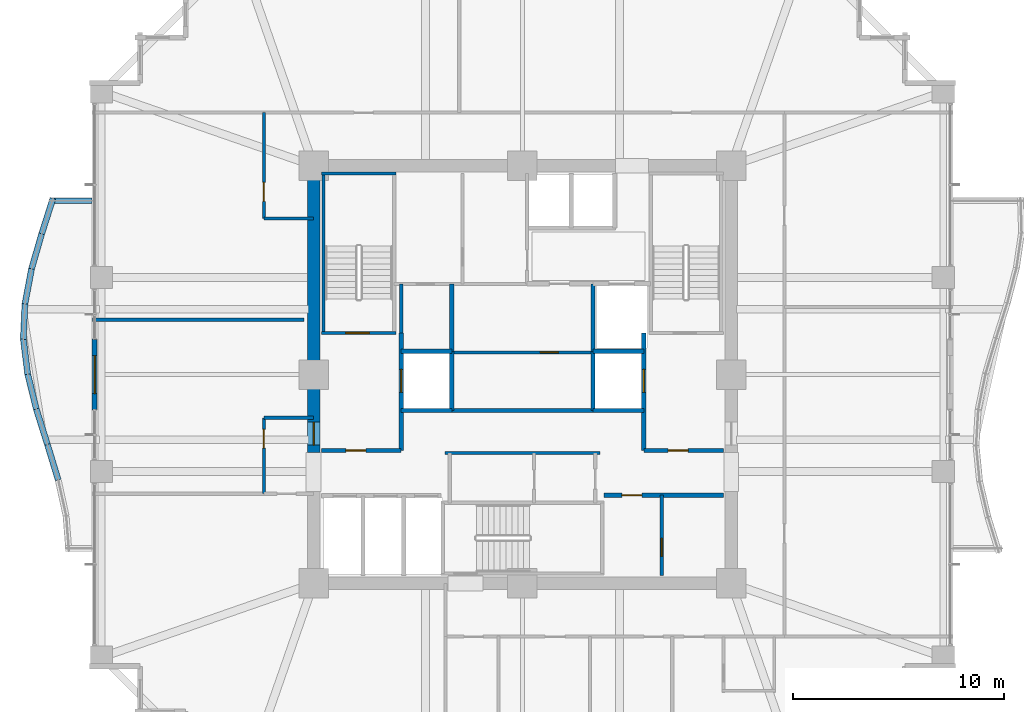
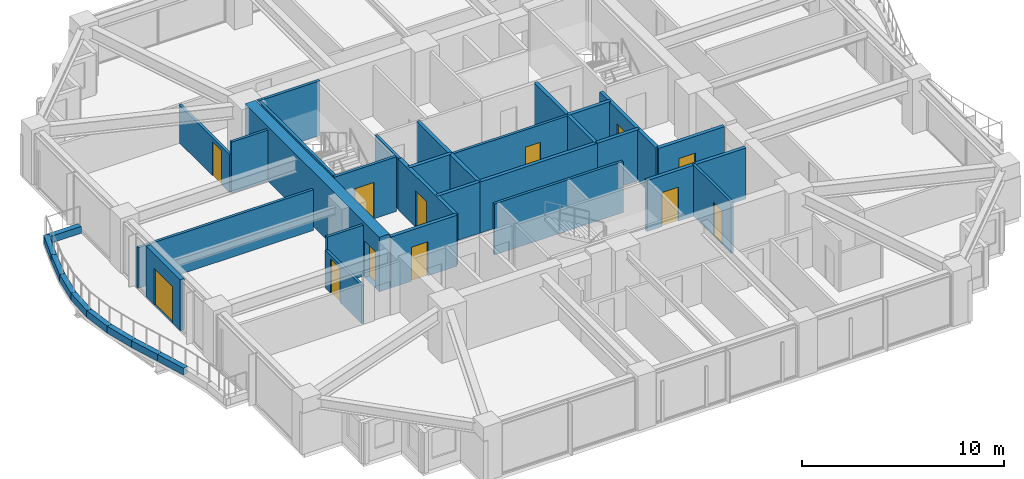
# One storey, part 31 of 36: 37 walls, 12 doors, 12 openings.
"""IFC4 building model written with IfcOpenShell, lengths in metres."""

from ifc_helpers import new_model, si_unit, direction, frame, frame_2d, origin, place, context, subcontext, project, spatial, rectangle, extrude, material, layer, layer_set, type_object, element, fill, save


model = new_model("IFC4")

# Units and contexts
model_context = context("Model", 3, precision=1e-05, world=origin(), true_north=direction((0.0, 1.0)))
body_context = subcontext(model_context, "Body", "Model", "MODEL_VIEW")
ifc_project = project(units=[si_unit("LENGTHUNIT", "METRE"), si_unit("AREAUNIT", "SQUARE_METRE"), si_unit("VOLUMEUNIT", "CUBIC_METRE"), si_unit("PLANEANGLEUNIT", "RADIAN"), si_unit("MASSUNIT", "GRAM", prefix="KILO")], contexts=[model_context])

# Site, building, storey
site_placement = place(None, origin())
site = spatial("IfcSite", under=ifc_project, at=site_placement, CompositionType="ELEMENT")
building_placement = place(site_placement, origin())
building = spatial("IfcBuilding", under=site, at=building_placement, Name="Kolvaren Belvedere", CompositionType="ELEMENT")
storey_placement = place(building_placement, frame((0.0, 0.0, 95.300048828125)))
storey = spatial("IfcBuildingStorey", under=building, at=storey_placement, Name="L27", CompositionType="ELEMENT", Elevation=95.300048828125)

# Wall, opening, door
ifc_material_1 = material(Name="Concrete C60/75", Category="concrete")
ifc_layer_1 = layer(ifc_material_1, 0.60009765625)
ifc_layer_set_1 = layer_set([ifc_layer_1], Name="Concrete C60/75")
wall_type_1 = type_object("IfcWallType", Name="CW-CORE-600", PredefinedType="SHEAR", material=ifc_layer_set_1)
wall_1_placement = place(storey_placement, frame((-9.89990234375, -3.699951171875, 0.0), z_axis=(0.0, 0.0, 1.0), x_axis=(0.0, 1.0, 0.0)))
wall_1 = element("IfcWall", 1, at=wall_1_placement, inside=storey, type_object=wall_type_1, Name="L27 West Core Shear Wall 2", PredefinedType="SHEAR", context=body_context, shape_type="SweptSolid", body=[
    extrude(rectangle(XDim=13.300048828125, YDim=0.60009765625, at=frame_2d((6.64990234375, 0.0))), origin(), (0.0, 0.0, 1.0), 3.300048828125),
])
opening_1_placement = place(wall_1_placement, frame((0.35009765625, 0.0, 0.0)))
opening_1 = element("IfcOpeningElement", 2, at=opening_1_placement, cuts=wall_1, Name="Opening D-FD90", PredefinedType="OPENING", context=body_context, shape_type="SweptSolid", body=[
    extrude(rectangle(XDim=1.10009765625, YDim=2.199951171875, at=frame_2d((0.550048828125, 1.10009765625))), frame((0.0, 0.31005859375, 0.0), z_axis=(0.0, -1.0, 0.0), x_axis=(1.0, 0.0, 0.0)), (0.0, 0.0, 1.0), 0.6201171875),
])
ifc_material_2 = material(Name="Painted hollow stainless steel", Category="steel")
door_type_1 = type_object("IfcDoorType", Name="DR-FD90-1100", OperationType="NOTDEFINED", PredefinedType="DOOR", material=ifc_material_2)
door_1_placement = place(opening_1_placement, origin())
door_1 = element("IfcDoor", 3, at=door_1_placement, inside=storey, type_object=door_type_1, Name="L27 West Firefighting Lobby Fire Door", OperationType="SINGLE_SWING_LEFT", OverallHeight=2.199951171875, OverallWidth=1.10009765625, PredefinedType="DOOR", context=body_context, shape_type="SweptSolid", body=[
    extrude(rectangle(XDim=1.10009765625, YDim=2.199951171875, at=frame_2d((0.550048828125, 1.10009765625))), frame((0.0, 0.02490234375, 0.0), z_axis=(0.0, -1.0, 0.0), x_axis=(1.0, 0.0, 0.0)), (0.0, 0.0, 1.0), 0.050048828125),
])
fill(opening_1, door_1)

ifc_material_3 = material(Name="Concrete C50/60", Category="concrete")
ifc_layer_2 = layer(ifc_material_3, 0.159912109375)
ifc_layer_set_2 = layer_set([ifc_layer_2], Name="Concrete C50/60")
wall_type_2 = type_object("IfcWallType", Name="CW-STAIR-160", PredefinedType="SHEAR", material=ifc_layer_set_2)
wall_2_placement = place(storey_placement, frame((-9.52001953125, 1.969970703125, 0.0), z_axis=(0.0, 0.0, 1.0), x_axis=(1.0, 0.0, 0.0)))
wall_2 = element("IfcWall", 4, at=wall_2_placement, inside=storey, type_object=wall_type_2, Name="L27 Stair ST-1 South Shear Wall", PredefinedType="SHEAR", context=body_context, shape_type="SweptSolid", body=[
    extrude(rectangle(XDim=3.52001953125, YDim=0.159912109375, at=frame_2d((1.760009765625, 0.0))), origin(), (0.0, 0.0, 1.0), 3.300048828125),
])
opening_2_placement = place(wall_2_placement, frame((1.14990234375, 0.0, 0.0)))
opening_2 = element("IfcOpeningElement", 5, at=opening_2_placement, cuts=wall_2, Name="Opening D-FD90", PredefinedType="OPENING", context=body_context, shape_type="SweptSolid", body=[
    extrude(rectangle(XDim=1.10009765625, YDim=2.199951171875, at=frame_2d((0.550048828125, 1.10009765625))), frame((0.0, 0.08984375, 0.0), z_axis=(0.0, -1.0, 0.0), x_axis=(1.0, 0.0, 0.0)), (0.0, 0.0, 1.0), 0.179931640625),
])
door_2_placement = place(opening_2_placement, origin())
door_2 = element("IfcDoor", 6, at=door_2_placement, inside=storey, type_object=door_type_1, Name="L27 Stair ST-1 Fire Door", OperationType="SINGLE_SWING_LEFT", OverallHeight=2.199951171875, OverallWidth=1.10009765625, PredefinedType="DOOR", context=body_context, shape_type="SweptSolid", body=[
    extrude(rectangle(XDim=1.10009765625, YDim=2.199951171875, at=frame_2d((0.550048828125, 1.10009765625))), frame((0.0, 0.02490234375, 0.0), z_axis=(0.0, -1.0, 0.0), x_axis=(1.0, 0.0, 0.0)), (0.0, 0.0, 1.0), 0.050048828125),
])
fill(opening_2, door_2)

# Walls
wall_3_placement = place(storey_placement, frame((-9.52001953125, 9.530029296875, 0.0), z_axis=(0.0, 0.0, 1.0), x_axis=(1.0, 0.0, 0.0)))
element("IfcWall", 7, at=wall_3_placement, inside=storey, type_object=wall_type_2, Name="L27 Stair ST-1 North Shear Wall", PredefinedType="SHEAR", context=body_context, shape_type="SweptSolid", body=[
    extrude(rectangle(XDim=3.52001953125, YDim=0.159912109375, at=frame_2d((1.760009765625, 0.0))), origin(), (0.0, 0.0, 1.0), 3.300048828125),
])
wall_4_placement = place(storey_placement, frame((-9.429931640625, 1.969970703125, 0.0), z_axis=(0.0, 0.0, 1.0), x_axis=(0.0, 1.0, 0.0)))
element("IfcWall", 8, at=wall_4_placement, inside=storey, type_object=wall_type_2, Name="L27 Stair ST-1 West Shear Wall", PredefinedType="SHEAR", context=body_context, shape_type="SweptSolid", body=[
    extrude(rectangle(XDim=7.56005859375, YDim=0.159912109375, at=frame_2d((3.780029296875, 0.0))), origin(), (0.0, 0.0, 1.0), 3.300048828125),
])

# Wall, opening, door
ifc_material_4 = material(Name="Gypsum fire-rated partition assembly", Category="gypsum")
ifc_layer_3 = layer(ifc_material_4, 0.14990234375)
ifc_layer_set_3 = layer_set([ifc_layer_3], Name="Gypsum fire-rated partition assembly")
wall_type_3 = type_object("IfcWallType", Name="WL-CORR-150", PredefinedType="PARTITIONING", material=ifc_layer_set_3)
wall_5_placement = place(storey_placement, frame((-12.260009765625, 7.39990234375, 0.0), z_axis=(0.0, 0.0, 1.0), x_axis=(0.0, 1.0, 0.0)))
wall_5 = element("IfcWall", 9, at=wall_5_placement, inside=storey, type_object=wall_type_3, Name="L27 NW Corridor End Wall", PredefinedType="PARTITIONING", context=body_context, shape_type="SweptSolid", body=[
    extrude(rectangle(XDim=5.02001953125, YDim=0.14990234375, at=frame_2d((2.510009765625, 0.0))), origin(), (0.0, 0.0, 1.0), 2.2919921875),
])
opening_3_placement = place(wall_5_placement, frame((0.81103515625, 0.0, 0.0)))
opening_3 = element("IfcOpeningElement", 10, at=opening_3_placement, cuts=wall_5, Name="Opening D-INT90", PredefinedType="OPENING", context=body_context, shape_type="SweptSolid", body=[
    extrude(rectangle(XDim=0.89990234375, YDim=2.06005859375, at=frame_2d((0.449951171875, 1.030029296875))), frame((0.0, 0.0849609375, 0.0), z_axis=(0.0, -1.0, 0.0), x_axis=(1.0, 0.0, 0.0)), (0.0, 0.0, 1.0), 0.169921875),
])
ifc_material_5 = material(Name="Stained Pacific white oak", Category="timber")
door_type_2 = type_object("IfcDoorType", Name="DR-INT-900", OperationType="NOTDEFINED", PredefinedType="DOOR", material=ifc_material_5)
door_3_placement = place(opening_3_placement, origin())
door_3 = element("IfcDoor", 11, at=door_3_placement, inside=storey, type_object=door_type_2, Name="L27 Private Hospitality Meeting Room 2705 Door", OperationType="SINGLE_SWING_RIGHT", OverallHeight=2.06005859375, OverallWidth=0.89990234375, PredefinedType="DOOR", context=body_context, shape_type="SweptSolid", body=[
    extrude(rectangle(XDim=0.89990234375, YDim=2.06005859375, at=frame_2d((0.449951171875, 1.030029296875))), frame((0.0, 0.02490234375, 0.0), z_axis=(0.0, -1.0, 0.0), x_axis=(1.0, 0.0, 0.0)), (0.0, 0.0, 1.0), 0.050048828125),
])
fill(opening_3, door_3)

# Wall
wall_6_placement = place(storey_placement, frame((-12.260009765625, 7.39990234375, 0.0), z_axis=(0.0, 0.0, 1.0), x_axis=(1.0, 0.0, 0.0)))
element("IfcWall", 12, at=wall_6_placement, inside=storey, type_object=wall_type_3, Name="L27 NW Core Closure Wall", PredefinedType="PARTITIONING", context=body_context, shape_type="SweptSolid", body=[
    extrude(rectangle(XDim=2.360107421875, YDim=0.14990234375, at=frame_2d((1.18017578125, 0.0))), origin(), (0.0, 0.0, 1.0), 3.079833984375),
])

# Wall, opening, door
wall_7_placement = place(storey_placement, frame((-12.260009765625, -5.64990234375, 0.0), z_axis=(0.0, 0.0, 1.0), x_axis=(0.0, 1.0, 0.0)))
wall_7 = element("IfcWall", 13, at=wall_7_placement, inside=storey, type_object=wall_type_3, Name="L27 West FSAE Pocket Wall", PredefinedType="PARTITIONING", context=body_context, shape_type="SweptSolid", body=[
    extrude(rectangle(XDim=3.599853515625, YDim=0.14990234375, at=frame_2d((1.7998046875, 0.0))), origin(), (0.0, 0.0, 1.0), 2.2919921875),
])
opening_4_placement = place(wall_7_placement, frame((2.15625, 0.0, 0.0)))
opening_4 = element("IfcOpeningElement", 14, at=opening_4_placement, cuts=wall_7, Name="Opening D-INT90", PredefinedType="OPENING", context=body_context, shape_type="SweptSolid", body=[
    extrude(rectangle(XDim=0.89990234375, YDim=2.06005859375, at=frame_2d((0.449951171875, 1.030029296875))), frame((0.0, 0.0849609375, 0.0), z_axis=(0.0, -1.0, 0.0), x_axis=(1.0, 0.0, 0.0)), (0.0, 0.0, 1.0), 0.169921875),
])
door_4_placement = place(opening_4_placement, origin())
door_4 = element("IfcDoor", 15, at=door_4_placement, inside=storey, type_object=door_type_2, Name="L27 Botanical Reading Salon 2706 Door", OperationType="SINGLE_SWING_LEFT", OverallHeight=2.06005859375, OverallWidth=0.89990234375, PredefinedType="DOOR", context=body_context, shape_type="SweptSolid", body=[
    extrude(rectangle(XDim=0.89990234375, YDim=2.06005859375, at=frame_2d((0.449951171875, 1.030029296875))), frame((0.0, 0.02490234375, 0.0), z_axis=(0.0, -1.0, 0.0), x_axis=(1.0, 0.0, 0.0)), (0.0, 0.0, 1.0), 0.050048828125),
])
fill(opening_4, door_4)

# Wall
wall_8_placement = place(storey_placement, frame((-12.260009765625, -2.050048828125, 0.0), z_axis=(0.0, 0.0, 1.0), x_axis=(1.0, 0.0, 0.0)))
element("IfcWall", 16, at=wall_8_placement, inside=storey, type_object=wall_type_3, Name="L27 West Pocket North Closure Wall", PredefinedType="PARTITIONING", context=body_context, shape_type="SweptSolid", body=[
    extrude(rectangle(XDim=2.360107421875, YDim=0.14990234375, at=frame_2d((1.18017578125, 0.0))), origin(), (0.0, 0.0, 1.0), 3.079833984375),
])

# Wall, opening, door
ifc_material_6 = material(Name="Insulated pale-metal facade wall assembly", Category="aluminium")
ifc_layer_4 = layer(ifc_material_6, 0.239990234375)
ifc_layer_set_4 = layer_set([ifc_layer_4], Name="Insulated pale-metal facade wall assembly")
wall_type_4 = type_object("IfcWallType", Name="WL-EXT-240", PredefinedType="STANDARD", material=ifc_layer_set_4)
wall_9_placement = place(storey_placement, frame((-20.280029296875, -1.679931640625, 0.0), z_axis=(0.0, 0.0, 1.0), x_axis=(0.0, 1.0, 0.0)))
wall_9 = element("IfcWall", 17, at=wall_9_placement, inside=storey, type_object=wall_type_4, Name="L27 West Terrace Portal Wall", PredefinedType="STANDARD", context=body_context, shape_type="SweptSolid", body=[
    extrude(rectangle(XDim=3.35986328125, YDim=0.239990234375, at=frame_2d((1.679931640625, 0.0))), origin(), (0.0, 0.0, 1.0), 3.079833984375),
])
opening_5_placement = place(wall_9_placement, frame((0.780029296875, 0.0, 0.0)))
opening_5 = element("IfcOpeningElement", 18, at=opening_5_placement, cuts=wall_9, Name="Opening DB-1800", PredefinedType="OPENING", context=body_context, shape_type="SweptSolid", body=[
    extrude(rectangle(XDim=1.800048828125, YDim=2.199951171875, at=frame_2d((0.89990234375, 1.10009765625))), frame((0.0, 0.1298828125, 0.0), z_axis=(0.0, -1.0, 0.0), x_axis=(1.0, 0.0, 0.0)), (0.0, 0.0, 1.0), 0.260009765625),
])
ifc_material_7 = material(Name="Thermally broken pale-metal aluminium & low-iron glass", Category="aluminium")
door_type_3 = type_object("IfcDoorType", Name="DR-BAL-1800", OperationType="DOUBLE_DOOR_SLIDING", PredefinedType="DOOR", material=ifc_material_7)
door_5_placement = place(opening_5_placement, origin())
door_5 = element("IfcDoor", 19, at=door_5_placement, inside=storey, type_object=door_type_3, Name="L27 West Planted Terrace Sliding Door", OperationType="DOUBLE_DOOR_SLIDING", OverallHeight=2.199951171875, OverallWidth=1.800048828125, PredefinedType="DOOR", context=body_context, shape_type="SweptSolid", body=[
    extrude(rectangle(XDim=1.800048828125, YDim=2.199951171875, at=frame_2d((0.89990234375, 1.10009765625))), frame((0.0, 0.02490234375, 0.0), z_axis=(0.0, -1.0, 0.0), x_axis=(1.0, 0.0, 0.0)), (0.0, 0.0, 1.0), 0.050048828125),
])
fill(opening_5, door_5)

ifc_material_8 = material(Name="Gypsum acoustic partition assembly", Category="gypsum")
ifc_layer_5 = layer(ifc_material_8, 0.14990234375)
ifc_layer_set_5 = layer_set([ifc_layer_5], Name="Gypsum acoustic partition assembly")
wall_type_5 = type_object("IfcWallType", Name="WL-PART-150", PredefinedType="PARTITIONING", material=ifc_layer_set_5)
wall_10_placement = place(storey_placement, frame((6.60009765625, -9.52001953125, 0.0), z_axis=(0.0, 0.0, 1.0), x_axis=(0.0, 1.0, 0.0)))
wall_10 = element("IfcWall", 20, at=wall_10_placement, inside=storey, type_object=wall_type_5, Name="L27 SE Core Divider", PredefinedType="PARTITIONING", context=body_context, shape_type="SweptSolid", body=[
    extrude(rectangle(XDim=3.800048828125, YDim=0.14990234375, at=frame_2d((1.89990234375, 0.0))), origin(), (0.0, 0.0, 1.0), 3.079833984375),
])
opening_6_placement = place(wall_10_placement, frame((0.89990234375, 0.0, 0.0)))
opening_6 = element("IfcOpeningElement", 21, at=opening_6_placement, cuts=wall_10, Name="Opening D-INT85", PredefinedType="OPENING", context=body_context, shape_type="SweptSolid", body=[
    extrude(rectangle(XDim=0.85009765625, YDim=2.030029296875, at=frame_2d((0.425048828125, 1.01513671875))), frame((0.0, 0.0849609375, 0.0), z_axis=(0.0, -1.0, 0.0), x_axis=(1.0, 0.0, 0.0)), (0.0, 0.0, 1.0), 0.169921875),
])
ifc_material_9 = material(Name="Stained Pacific white oak", Category="timber")
door_type_4 = type_object("IfcDoorType", Name="DR-INT-850", OperationType="NOTDEFINED", PredefinedType="DOOR", material=ifc_material_9)
door_6_placement = place(opening_6_placement, origin())
door_6 = element("IfcDoor", 22, at=door_6_placement, inside=storey, type_object=door_type_4, Name="L27 SE Switchboard Door", OperationType="SINGLE_SWING_LEFT", OverallHeight=2.030029296875, OverallWidth=0.85009765625, PredefinedType="DOOR", context=body_context, shape_type="SweptSolid", body=[
    extrude(rectangle(XDim=0.85009765625, YDim=2.030029296875, at=frame_2d((0.425048828125, 1.01513671875))), frame((0.0, 0.02490234375, 0.0), z_axis=(0.0, -1.0, 0.0), x_axis=(1.0, 0.0, 0.0)), (0.0, 0.0, 1.0), 0.050048828125),
])
fill(opening_6, door_6)

wall_11_placement = place(storey_placement, frame((-3.35009765625, 1.050048828125, 0.0), z_axis=(0.0, 0.0, 1.0), x_axis=(1.0, 0.0, 0.0)))
wall_11 = element("IfcWall", 23, at=wall_11_placement, inside=storey, type_object=wall_type_5, Name="L27 Central Core H-Divider", PredefinedType="PARTITIONING", context=body_context, shape_type="SweptSolid", body=[
    extrude(rectangle(XDim=6.7001953125, YDim=0.14990234375, at=frame_2d((3.35009765625, 0.0))), origin(), (0.0, 0.0, 1.0), 3.079833984375),
])
opening_7_placement = place(wall_11_placement, frame((4.199951171875, 0.0, 0.0)))
opening_7 = element("IfcOpeningElement", 24, at=opening_7_placement, cuts=wall_11, Name="Opening D-INT85", PredefinedType="OPENING", context=body_context, shape_type="SweptSolid", body=[
    extrude(rectangle(XDim=0.85009765625, YDim=2.030029296875, at=frame_2d((0.425048828125, 1.01513671875))), frame((0.0, 0.0849609375, 0.0), z_axis=(0.0, -1.0, 0.0), x_axis=(1.0, 0.0, 0.0)), (0.0, 0.0, 1.0), 0.169921875),
])
door_7_placement = place(opening_7_placement, origin())
door_7 = element("IfcDoor", 25, at=door_7_placement, inside=storey, type_object=door_type_4, Name="L27 Central Archive Door", OperationType="SINGLE_SWING_LEFT", OverallHeight=2.030029296875, OverallWidth=0.85009765625, PredefinedType="DOOR", context=body_context, shape_type="SweptSolid", body=[
    extrude(rectangle(XDim=0.85009765625, YDim=2.030029296875, at=frame_2d((0.425048828125, 1.01513671875))), frame((0.0, 0.02490234375, 0.0), z_axis=(0.0, -1.0, 0.0), x_axis=(1.0, 0.0, 0.0)), (0.0, 0.0, 1.0), 0.050048828125),
])
fill(opening_7, door_7)

# Walls
wall_12_placement = place(storey_placement, frame((-3.679931640625, -3.719970703125, 0.0), z_axis=(0.0, 0.0, 1.0), x_axis=(1.0, 0.0, 0.0)))
element("IfcWall", 26, at=wall_12_placement, inside=storey, type_object=wall_type_5, Name="L27 South Core Service North Wall", PredefinedType="PARTITIONING", context=body_context, shape_type="SweptSolid", body=[
    extrude(rectangle(XDim=7.35986328125, YDim=0.14990234375, at=frame_2d((3.679931640625, 0.0))), origin(), (0.0, 0.0, 1.0), 3.079833984375),
])
wall_13_placement = place(storey_placement, frame((-5.75, 1.969970703125, 0.0), z_axis=(0.0, 0.0, 1.0), x_axis=(0.0, 1.0, 0.0)))
element("IfcWall", 27, at=wall_13_placement, inside=storey, type_object=wall_type_5, Name="L27 NW Service Room West Wall", PredefinedType="PARTITIONING", context=body_context, shape_type="SweptSolid", body=[
    extrude(rectangle(XDim=2.330078125, YDim=0.14990234375, at=frame_2d((1.1650390625, 0.0))), origin(), (0.0, 0.0, 1.0), 3.079833984375),
])
wall_14_placement = place(storey_placement, frame((-20.3798828125, 2.60009765625, 0.0), z_axis=(0.0, 0.0, 1.0), x_axis=(1.0, 0.0, 0.0)))
element("IfcWall", 28, at=wall_14_placement, inside=storey, type_object=wall_type_5, Name="L27 West Upper Suite Divider", PredefinedType="PARTITIONING", context=body_context, shape_type="SweptSolid", body=[
    extrude(rectangle(XDim=10.019775390625, YDim=0.14990234375, at=frame_2d((5.009765625, 0.0))), origin(), (0.0, 0.0, 1.0), 2.448974609375),
])
ifc_material_10 = material(Name="Precast concrete C40/50", Category="concrete")
ifc_layer_6 = layer(ifc_material_10, 0.300048828125)
ifc_layer_set_6 = layer_set([ifc_layer_6], Name="Precast concrete C40/50")
wall_type_6 = type_object("IfcWallType", Name="WL-PLANTER-300", PredefinedType="PARAPET", material=ifc_layer_set_6)
wall_15_placement = place(storey_placement, frame((-22.25390625, 8.351318359375, -0.0400390625), z_axis=(0.0, 0.0, 1.0), x_axis=(-0.304032153573, -0.952661770826, 0.0)))
element("IfcWall", 29, at=wall_15_placement, inside=storey, type_object=wall_type_6, Name="L27 Precast Structural Planter Wall BAL-W-1", PredefinedType="PARAPET", context=body_context, shape_type="SweptSolid", body=[
    extrude(rectangle(XDim=1.763427734375, YDim=0.280029296875, at=frame_2d((0.8818359375, 0.0))), origin(), (0.0, 0.0, 1.0), 0.419921875),
])
wall_16_placement = place(storey_placement, frame((-22.788818359375, 6.675537109375, -0.0400390625), z_axis=(0.0, 0.0, 1.0), x_axis=(-0.277817391164, -0.960633903819, 0.0)))
element("IfcWall", 30, at=wall_16_placement, inside=storey, type_object=wall_type_6, Name="L27 Precast Structural Planter Wall BAL-W-2", PredefinedType="PARAPET", context=body_context, shape_type="SweptSolid", body=[
    extrude(rectangle(XDim=1.748779296875, YDim=0.280029296875, at=frame_2d((0.87451171875, 0.0))), origin(), (0.0, 0.0, 1.0), 0.419921875),
])
wall_17_placement = place(storey_placement, frame((-23.271240234375, 5.010498046875, -0.0400390625), z_axis=(0.0, 0.0, 1.0), x_axis=(-0.184650661912, -0.982804219087, 0.0)))
element("IfcWall", 31, at=wall_17_placement, inside=storey, type_object=wall_type_6, Name="L27 Precast Structural Planter Wall BAL-W-3", PredefinedType="PARAPET", context=body_context, shape_type="SweptSolid", body=[
    extrude(rectangle(XDim=1.70947265625, YDim=0.280029296875, at=frame_2d((0.854736328125, 0.0))), origin(), (0.0, 0.0, 1.0), 0.419921875),
])
wall_18_placement = place(storey_placement, frame((-23.58447265625, 3.352783203125, -0.0400390625), z_axis=(0.0, 0.0, 1.0), x_axis=(-0.045005941428, -0.998986719249, 0.0)))
element("IfcWall", 32, at=wall_18_placement, inside=storey, type_object=wall_type_6, Name="L27 Precast Structural Planter Wall BAL-W-4", PredefinedType="PARAPET", context=body_context, shape_type="SweptSolid", body=[
    extrude(rectangle(XDim=1.681640625, YDim=0.280029296875, at=frame_2d((0.8408203125, 0.0))), origin(), (0.0, 0.0, 1.0), 0.419921875),
])
wall_19_placement = place(storey_placement, frame((-23.6611328125, 1.699462890625, -0.0400390625), z_axis=(0.0, 0.0, 1.0), x_axis=(0.121886315522, -0.99254406758, 0.0)))
element("IfcWall", 33, at=wall_19_placement, inside=storey, type_object=wall_type_6, Name="L27 Precast Structural Planter Wall BAL-W-5", PredefinedType="PARAPET", context=body_context, shape_type="SweptSolid", body=[
    extrude(rectangle(XDim=1.692626953125, YDim=0.280029296875, at=frame_2d((0.84619140625, 0.0))), origin(), (0.0, 0.0, 1.0), 0.419921875),
])
wall_20_placement = place(storey_placement, frame((-23.458251953125, 0.038330078125, -0.0400390625), z_axis=(0.0, 0.0, 1.0), x_axis=(0.239180748277, -0.970975061293, 0.0)))
element("IfcWall", 34, at=wall_20_placement, inside=storey, type_object=wall_type_6, Name="L27 Precast Structural Planter Wall BAL-W-6", PredefinedType="PARAPET", context=body_context, shape_type="SweptSolid", body=[
    extrude(rectangle(XDim=1.730224609375, YDim=0.280029296875, at=frame_2d((0.865234375, 0.0))), origin(), (0.0, 0.0, 1.0), 0.419921875),
])
wall_21_placement = place(storey_placement, frame((-23.047119140625, -1.632080078125, -0.0400390625), z_axis=(0.0, 0.0, 1.0), x_axis=(0.299624691176, -0.954057149461, 0.0)))
element("IfcWall", 35, at=wall_21_placement, inside=storey, type_object=wall_type_6, Name="L27 Precast Structural Planter Wall BAL-W-7", PredefinedType="PARAPET", context=body_context, shape_type="SweptSolid", body=[
    extrude(rectangle(XDim=1.7607421875, YDim=0.280029296875, at=frame_2d((0.88037109375, 0.0))), origin(), (0.0, 0.0, 1.0), 0.419921875),
])
wall_22_placement = place(storey_placement, frame((-22.51904296875, -3.3134765625, -0.0400390625), z_axis=(0.0, 0.0, 1.0), x_axis=(0.290879426191, -0.956759718748, 0.0)))
element("IfcWall", 36, at=wall_22_placement, inside=storey, type_object=wall_type_6, Name="L27 Precast Structural Planter Wall BAL-W-8", PredefinedType="PARAPET", context=body_context, shape_type="SweptSolid", body=[
    extrude(rectangle(XDim=1.755859375, YDim=0.280029296875, at=frame_2d((0.8779296875, 0.0))), origin(), (0.0, 0.0, 1.0), 0.419921875),
])
wall_23_placement = place(storey_placement, frame((-20.39990234375, 8.239990234375, -0.0400390625), z_axis=(0.0, 0.0, 1.0), x_axis=(-1.0, 0.0, 0.0)))
element("IfcWall", 37, at=wall_23_placement, inside=storey, type_object=wall_type_6, Name="L27 Precast Structural Planter Wall BAL-W-22", PredefinedType="PARAPET", context=body_context, shape_type="SweptSolid", body=[
    extrude(rectangle(XDim=2.00634765625, YDim=0.280029296875, at=frame_2d((1.003173828125, 0.0))), origin(), (0.0, 0.0, 1.0), 0.419921875),
])

# Wall, opening, door
ifc_material_11 = material(Name="Concrete C50/60", Category="concrete")
ifc_layer_7 = layer(ifc_material_11, 0.199951171875)
ifc_layer_set_7 = layer_set([ifc_layer_7], Name="Concrete C50/60")
wall_type_7 = type_object("IfcWallType", Name="WL-SHAFT-200", PredefinedType="SOLIDWALL", material=ifc_layer_set_7)
wall_24_placement = place(storey_placement, frame((-9.52001953125, -3.60009765625, 0.0), z_axis=(0.0, 0.0, 1.0), x_axis=(1.0, 0.0, 0.0)))
wall_24 = element("IfcWall", 38, at=wall_24_placement, inside=storey, type_object=wall_type_7, Name="L27 West FSAE Lobby South Wall", PredefinedType="SOLIDWALL", context=body_context, shape_type="SweptSolid", body=[
    extrude(rectangle(XDim=3.77001953125, YDim=0.199951171875, at=frame_2d((1.885009765625, 0.0))), origin(), (0.0, 0.0, 1.0), 3.079833984375),
])
opening_8_placement = place(wall_24_placement, frame((1.14990234375, 0.0, 0.0)))
opening_8 = element("IfcOpeningElement", 39, at=opening_8_placement, cuts=wall_24, Name="Opening D-FD60", PredefinedType="OPENING", context=body_context, shape_type="SweptSolid", body=[
    extrude(rectangle(XDim=0.949951171875, YDim=2.06005859375, at=frame_2d((0.47509765625, 1.030029296875))), frame((0.0, 0.10986328125, 0.0), z_axis=(0.0, -1.0, 0.0), x_axis=(1.0, 0.0, 0.0)), (0.0, 0.0, 1.0), 0.219970703125),
])
ifc_material_12 = material(Name="Acoustic white-oak fire door leaf", Category="timber")
door_type_5 = type_object("IfcDoorType", Name="DR-FD60-950", OperationType="NOTDEFINED", PredefinedType="DOOR", material=ifc_material_12)
door_8_placement = place(opening_8_placement, origin())
door_8 = element("IfcDoor", 40, at=door_8_placement, inside=storey, type_object=door_type_5, Name="L27 Mid-Rise Lift Lobby Fire Door", OperationType="SINGLE_SWING_LEFT", OverallHeight=2.06005859375, OverallWidth=0.949951171875, PredefinedType="DOOR", context=body_context, shape_type="SweptSolid", body=[
    extrude(rectangle(XDim=0.949951171875, YDim=2.06005859375, at=frame_2d((0.47509765625, 1.030029296875))), frame((0.0, 0.02490234375, 0.0), z_axis=(0.0, -1.0, 0.0), x_axis=(1.0, 0.0, 0.0)), (0.0, 0.0, 1.0), 0.050048828125),
])
fill(opening_8, door_8)

wall_25_placement = place(storey_placement, frame((-5.75, -3.60009765625, 0.0), z_axis=(0.0, 0.0, 1.0), x_axis=(0.0, 1.0, 0.0)))
wall_25 = element("IfcWall", 41, at=wall_25_placement, inside=storey, type_object=wall_type_7, Name="L27 FSAE FS1 Landing Wall", PredefinedType="SOLIDWALL", context=body_context, shape_type="SweptSolid", body=[
    extrude(rectangle(XDim=5.570068359375, YDim=0.199951171875, at=frame_2d((2.78515625, 0.0))), origin(), (0.0, 0.0, 1.0), 3.079833984375),
])
opening_9_placement = place(wall_25_placement, frame((2.75, 0.0, 0.0)))
opening_9 = element("IfcOpeningElement", 42, at=opening_9_placement, cuts=wall_25, Name="Opening LD-11", PredefinedType="OPENING", context=body_context, shape_type="SweptSolid", body=[
    extrude(rectangle(XDim=1.10009765625, YDim=2.199951171875, at=frame_2d((0.550048828125, 1.10009765625))), frame((0.0, 0.10986328125, 0.0), z_axis=(0.0, -1.0, 0.0), x_axis=(1.0, 0.0, 0.0)), (0.0, 0.0, 1.0), 0.219970703125),
])
ifc_material_13 = material(Name="Brushed stainless steel", Category="steel")
door_type_6 = type_object("IfcDoorType", Name="DR-LIFT-1100", OperationType="DOUBLE_DOOR_SLIDING", PredefinedType="DOOR", material=ifc_material_13)
door_9_placement = place(opening_9_placement, origin())
door_9 = element("IfcDoor", 43, at=door_9_placement, inside=storey, type_object=door_type_6, Name="L27 Firefighting Lift FS1 Landing Door", OperationType="DOUBLE_DOOR_SLIDING", OverallHeight=2.199951171875, OverallWidth=1.10009765625, PredefinedType="DOOR", context=body_context, shape_type="SweptSolid", body=[
    extrude(rectangle(XDim=1.10009765625, YDim=2.199951171875, at=frame_2d((0.550048828125, 1.10009765625))), frame((0.0, 0.02490234375, 0.0), z_axis=(0.0, -1.0, 0.0), x_axis=(1.0, 0.0, 0.0)), (0.0, 0.0, 1.0), 0.050048828125),
])
fill(opening_9, door_9)

# Walls
wall_26_placement = place(storey_placement, frame((-3.35009765625, -1.699951171875, 0.0), z_axis=(0.0, 0.0, 1.0), x_axis=(0.0, 1.0, 0.0)))
element("IfcWall", 44, at=wall_26_placement, inside=storey, type_object=wall_type_7, Name="L27 FSAE FS1 Back Wall", PredefinedType="SOLIDWALL", context=body_context, shape_type="SweptSolid", body=[
    extrude(rectangle(XDim=2.800048828125, YDim=0.199951171875, at=frame_2d((1.39990234375, 0.0))), origin(), (0.0, 0.0, 1.0), 3.079833984375),
])
for number, where, z_axis, x_axis, name in (
    (45, (-5.75, -1.699951171875, 0.0), (0.0, 0.0, 1.0), (1.0, 0.0, 0.0), "L27 FSAE FS1 South Wall"),
    (46, (-5.75, 1.10009765625, 0.0), (0.0, 0.0, 1.0), (1.0, 0.0, 0.0), "L27 FSAE FS1 North Wall"),
):
    element("IfcWall", number, at=place(storey_placement, frame(where, z_axis=z_axis, x_axis=x_axis)), inside=storey, type_object=wall_type_7, Name=name, PredefinedType="SOLIDWALL", context=body_context, shape_type="SweptSolid", body=[
        extrude(rectangle(XDim=2.39990234375, YDim=0.199951171875, at=frame_2d((1.199951171875, 0.0))), origin(), (0.0, 0.0, 1.0), 3.079833984375),
    ])

# Wall, opening, door
wall_27_placement = place(storey_placement, frame((5.75, -3.60009765625, 0.0), z_axis=(0.0, 0.0, 1.0), x_axis=(1.0, 0.0, 0.0)))
wall_27 = element("IfcWall", 47, at=wall_27_placement, inside=storey, type_object=wall_type_7, Name="L27 East FSAE Lobby South Wall", PredefinedType="SOLIDWALL", context=body_context, shape_type="SweptSolid", body=[
    extrude(rectangle(XDim=3.77001953125, YDim=0.199951171875, at=frame_2d((1.885009765625, 0.0))), origin(), (0.0, 0.0, 1.0), 3.079833984375),
])
opening_10_placement = place(wall_27_placement, frame((1.14990234375, 0.0, 0.0)))
opening_10 = element("IfcOpeningElement", 48, at=opening_10_placement, cuts=wall_27, Name="Opening D-FD60", PredefinedType="OPENING", context=body_context, shape_type="SweptSolid", body=[
    extrude(rectangle(XDim=0.949951171875, YDim=2.06005859375, at=frame_2d((0.47509765625, 1.030029296875))), frame((0.0, 0.10986328125, 0.0), z_axis=(0.0, -1.0, 0.0), x_axis=(1.0, 0.0, 0.0)), (0.0, 0.0, 1.0), 0.219970703125),
])
door_10_placement = place(opening_10_placement, origin())
door_10 = element("IfcDoor", 49, at=door_10_placement, inside=storey, type_object=door_type_5, Name="L27 SE Lift Lobby Fire Door", OperationType="SINGLE_SWING_RIGHT", OverallHeight=2.06005859375, OverallWidth=0.949951171875, PredefinedType="DOOR", context=body_context, shape_type="SweptSolid", body=[
    extrude(rectangle(XDim=0.949951171875, YDim=2.06005859375, at=frame_2d((0.47509765625, 1.030029296875))), frame((0.0, 0.02490234375, 0.0), z_axis=(0.0, -1.0, 0.0), x_axis=(1.0, 0.0, 0.0)), (0.0, 0.0, 1.0), 0.050048828125),
])
fill(opening_10, door_10)

wall_28_placement = place(storey_placement, frame((5.75, -3.60009765625, 0.0), z_axis=(0.0, 0.0, 1.0), x_axis=(0.0, 1.0, 0.0)))
wall_28 = element("IfcWall", 50, at=wall_28_placement, inside=storey, type_object=wall_type_7, Name="L27 FSAE FS2 Landing Wall", PredefinedType="SOLIDWALL", context=body_context, shape_type="SweptSolid", body=[
    extrude(rectangle(XDim=5.570068359375, YDim=0.199951171875, at=frame_2d((2.78515625, 0.0))), origin(), (0.0, 0.0, 1.0), 3.079833984375),
])
opening_11_placement = place(wall_28_placement, frame((2.75, 0.0, 0.0)))
opening_11 = element("IfcOpeningElement", 51, at=opening_11_placement, cuts=wall_28, Name="Opening LD-11", PredefinedType="OPENING", context=body_context, shape_type="SweptSolid", body=[
    extrude(rectangle(XDim=1.10009765625, YDim=2.199951171875, at=frame_2d((0.550048828125, 1.10009765625))), frame((0.0, 0.10986328125, 0.0), z_axis=(0.0, -1.0, 0.0), x_axis=(1.0, 0.0, 0.0)), (0.0, 0.0, 1.0), 0.219970703125),
])
door_11_placement = place(opening_11_placement, origin())
door_11 = element("IfcDoor", 52, at=door_11_placement, inside=storey, type_object=door_type_6, Name="L27 Firefighting Lift FS2 Landing Door", OperationType="DOUBLE_DOOR_SLIDING", OverallHeight=2.199951171875, OverallWidth=1.10009765625, PredefinedType="DOOR", context=body_context, shape_type="SweptSolid", body=[
    extrude(rectangle(XDim=1.10009765625, YDim=2.199951171875, at=frame_2d((0.550048828125, 1.10009765625))), frame((0.0, 0.02490234375, 0.0), z_axis=(0.0, -1.0, 0.0), x_axis=(1.0, 0.0, 0.0)), (0.0, 0.0, 1.0), 0.050048828125),
])
fill(opening_11, door_11)

# Walls
wall_29_placement = place(storey_placement, frame((3.35009765625, -1.699951171875, 0.0), z_axis=(0.0, 0.0, 1.0), x_axis=(0.0, 1.0, 0.0)))
element("IfcWall", 53, at=wall_29_placement, inside=storey, type_object=wall_type_7, Name="L27 FSAE FS2 Back Wall", PredefinedType="SOLIDWALL", context=body_context, shape_type="SweptSolid", body=[
    extrude(rectangle(XDim=2.800048828125, YDim=0.199951171875, at=frame_2d((1.39990234375, 0.0))), origin(), (0.0, 0.0, 1.0), 3.079833984375),
])
for number, where, z_axis, x_axis, name in (
    (54, (3.35009765625, -1.699951171875, 0.0), (0.0, 0.0, 1.0), (1.0, 0.0, 0.0), "L27 FSAE FS2 South Wall"),
    (55, (3.35009765625, 1.10009765625, 0.0), (0.0, 0.0, 1.0), (1.0, 0.0, 0.0), "L27 FSAE FS2 North Wall"),
):
    element("IfcWall", number, at=place(storey_placement, frame(where, z_axis=z_axis, x_axis=x_axis)), inside=storey, type_object=wall_type_7, Name=name, PredefinedType="SOLIDWALL", context=body_context, shape_type="SweptSolid", body=[
        extrude(rectangle(XDim=2.39990234375, YDim=0.199951171875, at=frame_2d((1.199951171875, 0.0))), origin(), (0.0, 0.0, 1.0), 3.079833984375),
    ])

# Wall, opening, door
wall_30_placement = place(storey_placement, frame((3.860107421875, -5.719970703125, 0.0), z_axis=(0.0, 0.0, 1.0), x_axis=(1.0, 0.0, 0.0)))
wall_30 = element("IfcWall", 56, at=wall_30_placement, inside=storey, type_object=wall_type_7, Name="L27 SE Core Distribution Wall", PredefinedType="SOLIDWALL", context=body_context, shape_type="SweptSolid", body=[
    extrude(rectangle(XDim=5.659912109375, YDim=0.199951171875, at=frame_2d((2.830078125, 0.0))), origin(), (0.0, 0.0, 1.0), 3.079833984375),
])
opening_12_placement = place(wall_30_placement, frame((0.85009765625, 0.0, 0.0)))
opening_12 = element("IfcOpeningElement", 57, at=opening_12_placement, cuts=wall_30, Name="Opening D-FD60", PredefinedType="OPENING", context=body_context, shape_type="SweptSolid", body=[
    extrude(rectangle(XDim=0.949951171875, YDim=2.06005859375, at=frame_2d((0.47509765625, 1.030029296875))), frame((0.0, 0.10986328125, 0.0), z_axis=(0.0, -1.0, 0.0), x_axis=(1.0, 0.0, 0.0)), (0.0, 0.0, 1.0), 0.219970703125),
])
door_12_placement = place(opening_12_placement, origin())
door_12 = element("IfcDoor", 58, at=door_12_placement, inside=storey, type_object=door_type_5, Name="L27 SE Telecom Door", OperationType="SINGLE_SWING_RIGHT", OverallHeight=2.06005859375, OverallWidth=0.949951171875, PredefinedType="DOOR", context=body_context, shape_type="SweptSolid", body=[
    extrude(rectangle(XDim=0.949951171875, YDim=2.06005859375, at=frame_2d((0.47509765625, 1.030029296875))), frame((0.0, 0.02490234375, 0.0), z_axis=(0.0, -1.0, 0.0), x_axis=(1.0, 0.0, 0.0)), (0.0, 0.0, 1.0), 0.050048828125),
])
fill(opening_12, door_12)

# Walls
wall_31_placement = place(storey_placement, frame((-3.35009765625, -1.699951171875, 0.0), z_axis=(0.0, 0.0, 1.0), x_axis=(1.0, 0.0, 0.0)))
element("IfcWall", 59, at=wall_31_placement, inside=storey, type_object=wall_type_7, Name="L27 Central Core Room South Wall", PredefinedType="SOLIDWALL", context=body_context, shape_type="SweptSolid", body=[
    extrude(rectangle(XDim=6.7001953125, YDim=0.199951171875, at=frame_2d((3.35009765625, 0.0))), origin(), (0.0, 0.0, 1.0), 3.079833984375),
])
for number, where, z_axis, x_axis, name in (
    (60, (-3.35009765625, 1.10009765625, 0.0), (0.0, 0.0, 1.0), (0.0, 1.0, 0.0), "L27 Central Core Room West Wall"),
    (61, (3.35009765625, 1.10009765625, 0.0), (0.0, 0.0, 1.0), (0.0, 1.0, 0.0), "L27 Central Core Room East Wall"),
):
    element("IfcWall", number, at=place(storey_placement, frame(where, z_axis=z_axis, x_axis=x_axis)), inside=storey, type_object=wall_type_7, Name=name, PredefinedType="SOLIDWALL", context=body_context, shape_type="SweptSolid", body=[
        extrude(rectangle(XDim=3.199951171875, YDim=0.199951171875, at=frame_2d((1.60009765625, 0.0))), origin(), (0.0, 0.0, 1.0), 3.079833984375),
    ])

save(model, "model.ifc")
